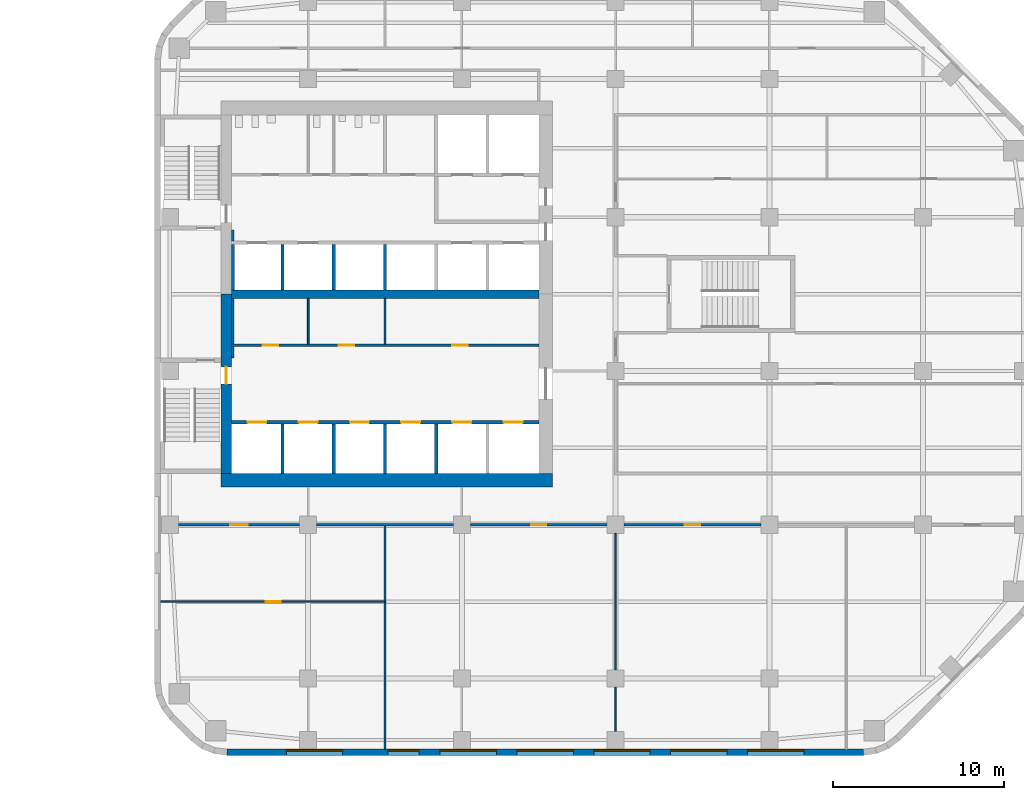
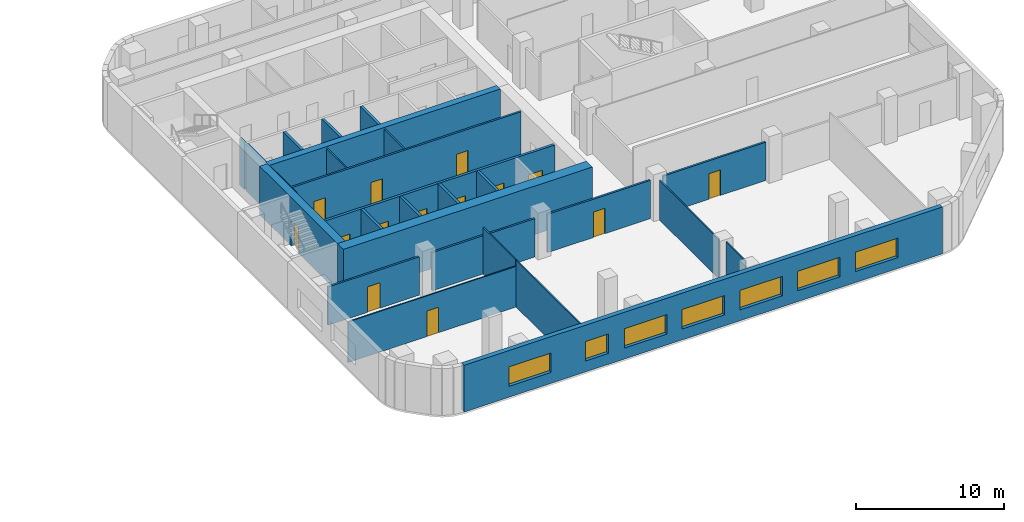
# One storey, part 8 of 14: 28 walls, 14 doors, 7 windows, 21 openings.
"""IFC4 building model written with IfcOpenShell, lengths in metres."""

from ifc_helpers import new_model, si_unit, direction, frame, frame_2d, origin, place, context, subcontext, project, spatial, rectangle, extrude, material, layer, layer_set, type_object, element, fill, save


model = new_model("IFC4")

# Units and contexts
model_context = context("Model", 3, precision=1e-05, world=origin(), true_north=direction((0.0, 1.0)))
body_context = subcontext(model_context, "Body", "Model", "MODEL_VIEW")
ifc_project = project(units=[si_unit("LENGTHUNIT", "METRE"), si_unit("AREAUNIT", "SQUARE_METRE"), si_unit("VOLUMEUNIT", "CUBIC_METRE"), si_unit("PLANEANGLEUNIT", "RADIAN"), si_unit("MASSUNIT", "GRAM", prefix="KILO")], contexts=[model_context])

# Site, building, storey
site_placement = place(None, origin())
site = spatial("IfcSite", under=ifc_project, at=site_placement, CompositionType="ELEMENT")
building_placement = place(site_placement, origin())
building = spatial("IfcBuilding", under=site, at=building_placement, Name="Cinnabar Reach Civic Tower", CompositionType="ELEMENT")
storey_placement = place(building_placement, frame((0.0, 0.0, 112.0)))
storey = spatial("IfcBuildingStorey", under=building, at=storey_placement, Name="L26", CompositionType="ELEMENT", Elevation=112.0)

# Wall, openings, windows
ifc_material_1 = material(Name="Facing brick with insulated backing", Category="masonry")
ifc_layer_1 = layer(ifc_material_1, 0.36)
ifc_layer_set_1 = layer_set([ifc_layer_1], Name="Brick pier and spandrel wall")
wall_type_1 = type_object("IfcWallType", Name="Brick pier and spandrel wall", PredefinedType="STANDARD", material=ifc_layer_set_1)
wall_1_placement = place(storey_placement, frame((4.2426, 4.68, 0.0), z_axis=(0.0, 0.0, 1.0), x_axis=(1.0, 0.0, 0.0)))
wall_1 = element("IfcWall", 1, at=wall_1_placement, inside=storey, type_object=wall_type_1, Name="Brick facade wall", PredefinedType="STANDARD", context=body_context, shape_type="SweptSolid", body=[
    extrude(rectangle(XDim=37.2648, YDim=0.36, at=frame_2d((18.6324, 0.0))), origin(), (0.0, 0.0, 1.0), 3.85),
])
opening_1_placement = place(wall_1_placement, frame((3.4824, 0.0, 0.9)))
opening_1 = element("IfcOpeningElement", 2, at=opening_1_placement, cuts=wall_1, Name="Opening W1545", PredefinedType="OPENING", context=body_context, shape_type="SweptSolid", body=[
    extrude(rectangle(XDim=3.3, YDim=1.6, at=frame_2d((1.65, 0.8))), frame((0.0, 0.19, 0.0), z_axis=(0.0, -1.0, 0.0), x_axis=(1.0, 0.0, 0.0)), (0.0, 0.0, 1.0), 0.38),
])
opening_2_placement = place(wall_1_placement, frame((9.4324, 0.0, 0.9)))
opening_2 = element("IfcOpeningElement", 3, at=opening_2_placement, cuts=wall_1, Name="Opening W1546", PredefinedType="OPENING", context=body_context, shape_type="SweptSolid", body=[
    extrude(rectangle(XDim=1.8, YDim=1.6, at=frame_2d((0.9, 0.8))), frame((0.0, 0.19, 0.0), z_axis=(0.0, -1.0, 0.0), x_axis=(1.0, 0.0, 0.0)), (0.0, 0.0, 1.0), 0.38),
])
opening_3_placement = place(wall_1_placement, frame((12.4824, 0.0, 0.9)))
opening_3 = element("IfcOpeningElement", 4, at=opening_3_placement, cuts=wall_1, Name="Opening W1547", PredefinedType="OPENING", context=body_context, shape_type="SweptSolid", body=[
    extrude(rectangle(XDim=3.3, YDim=1.6, at=frame_2d((1.65, 0.8))), frame((0.0, 0.19, 0.0), z_axis=(0.0, -1.0, 0.0), x_axis=(1.0, 0.0, 0.0)), (0.0, 0.0, 1.0), 0.38),
])
opening_4_placement = place(wall_1_placement, frame((16.9824, 0.0, 0.9)))
opening_4 = element("IfcOpeningElement", 5, at=opening_4_placement, cuts=wall_1, Name="Opening W1548", PredefinedType="OPENING", context=body_context, shape_type="SweptSolid", body=[
    extrude(rectangle(XDim=3.3, YDim=1.6, at=frame_2d((1.65, 0.8))), frame((0.0, 0.19, 0.0), z_axis=(0.0, -1.0, 0.0), x_axis=(1.0, 0.0, 0.0)), (0.0, 0.0, 1.0), 0.38),
])
opening_5_placement = place(wall_1_placement, frame((21.4824, 0.0, 0.9)))
opening_5 = element("IfcOpeningElement", 6, at=opening_5_placement, cuts=wall_1, Name="Opening W1549", PredefinedType="OPENING", context=body_context, shape_type="SweptSolid", body=[
    extrude(rectangle(XDim=3.3, YDim=1.6, at=frame_2d((1.65, 0.8))), frame((0.0, 0.19, 0.0), z_axis=(0.0, -1.0, 0.0), x_axis=(1.0, 0.0, 0.0)), (0.0, 0.0, 1.0), 0.38),
])
opening_6_placement = place(wall_1_placement, frame((25.9824, 0.0, 0.9)))
opening_6 = element("IfcOpeningElement", 7, at=opening_6_placement, cuts=wall_1, Name="Opening W1550", PredefinedType="OPENING", context=body_context, shape_type="SweptSolid", body=[
    extrude(rectangle(XDim=3.3, YDim=1.6, at=frame_2d((1.65, 0.8))), frame((0.0, 0.19, 0.0), z_axis=(0.0, -1.0, 0.0), x_axis=(1.0, 0.0, 0.0)), (0.0, 0.0, 1.0), 0.38),
])
opening_7_placement = place(wall_1_placement, frame((30.4824, 0.0, 0.9)))
opening_7 = element("IfcOpeningElement", 8, at=opening_7_placement, cuts=wall_1, Name="Opening W1551", PredefinedType="OPENING", context=body_context, shape_type="SweptSolid", body=[
    extrude(rectangle(XDim=3.3, YDim=1.6, at=frame_2d((1.65, 0.8))), frame((0.0, 0.19, 0.0), z_axis=(0.0, -1.0, 0.0), x_axis=(1.0, 0.0, 0.0)), (0.0, 0.0, 1.0), 0.38),
])
ifc_material_2 = material(Name="Clear double glazing in aluminium frame", Category="aluminium")
window_type_1 = type_object("IfcWindowType", Name="Deep-set window A", PartitioningType="SINGLE_PANEL", PredefinedType="WINDOW", material=ifc_material_2)
window_1_placement = place(opening_1_placement, origin())
window_1 = element("IfcWindow", 9, at=window_1_placement, inside=storey, type_object=window_type_1, Name="Window south face", OverallHeight=1.6, OverallWidth=3.3, PartitioningType="SINGLE_PANEL", PredefinedType="WINDOW", context=body_context, shape_type="SweptSolid", body=[
    extrude(rectangle(XDim=3.3, YDim=1.6, at=frame_2d((1.65, 0.8))), frame((0.0, 0.13, 0.0), z_axis=(0.0, -1.0, 0.0), x_axis=(1.0, 0.0, 0.0)), (0.0, 0.0, 1.0), 0.06),
])
fill(opening_1, window_1)
window_2_placement = place(opening_3_placement, origin())
window_2 = element("IfcWindow", 10, at=window_2_placement, inside=storey, type_object=window_type_1, Name="Window south face", OverallHeight=1.6, OverallWidth=3.3, PartitioningType="SINGLE_PANEL", PredefinedType="WINDOW", context=body_context, shape_type="SweptSolid", body=[
    extrude(rectangle(XDim=3.3, YDim=1.6, at=frame_2d((1.65, 0.8))), frame((0.0, 0.13, 0.0), z_axis=(0.0, -1.0, 0.0), x_axis=(1.0, 0.0, 0.0)), (0.0, 0.0, 1.0), 0.06),
])
fill(opening_3, window_2)
window_3_placement = place(opening_4_placement, origin())
window_3 = element("IfcWindow", 11, at=window_3_placement, inside=storey, type_object=window_type_1, Name="Window south face", OverallHeight=1.6, OverallWidth=3.3, PartitioningType="SINGLE_PANEL", PredefinedType="WINDOW", context=body_context, shape_type="SweptSolid", body=[
    extrude(rectangle(XDim=3.3, YDim=1.6, at=frame_2d((1.65, 0.8))), frame((0.0, 0.13, 0.0), z_axis=(0.0, -1.0, 0.0), x_axis=(1.0, 0.0, 0.0)), (0.0, 0.0, 1.0), 0.06),
])
fill(opening_4, window_3)
window_4_placement = place(opening_5_placement, origin())
window_4 = element("IfcWindow", 12, at=window_4_placement, inside=storey, type_object=window_type_1, Name="Window south face", OverallHeight=1.6, OverallWidth=3.3, PartitioningType="SINGLE_PANEL", PredefinedType="WINDOW", context=body_context, shape_type="SweptSolid", body=[
    extrude(rectangle(XDim=3.3, YDim=1.6, at=frame_2d((1.65, 0.8))), frame((0.0, 0.13, 0.0), z_axis=(0.0, -1.0, 0.0), x_axis=(1.0, 0.0, 0.0)), (0.0, 0.0, 1.0), 0.06),
])
fill(opening_5, window_4)
window_5_placement = place(opening_6_placement, origin())
window_5 = element("IfcWindow", 13, at=window_5_placement, inside=storey, type_object=window_type_1, Name="Window south face", OverallHeight=1.6, OverallWidth=3.3, PartitioningType="SINGLE_PANEL", PredefinedType="WINDOW", context=body_context, shape_type="SweptSolid", body=[
    extrude(rectangle(XDim=3.3, YDim=1.6, at=frame_2d((1.65, 0.8))), frame((0.0, 0.13, 0.0), z_axis=(0.0, -1.0, 0.0), x_axis=(1.0, 0.0, 0.0)), (0.0, 0.0, 1.0), 0.06),
])
fill(opening_6, window_5)
window_6_placement = place(opening_7_placement, origin())
window_6 = element("IfcWindow", 14, at=window_6_placement, inside=storey, type_object=window_type_1, Name="Window south face", OverallHeight=1.6, OverallWidth=3.3, PartitioningType="SINGLE_PANEL", PredefinedType="WINDOW", context=body_context, shape_type="SweptSolid", body=[
    extrude(rectangle(XDim=3.3, YDim=1.6, at=frame_2d((1.65, 0.8))), frame((0.0, 0.13, 0.0), z_axis=(0.0, -1.0, 0.0), x_axis=(1.0, 0.0, 0.0)), (0.0, 0.0, 1.0), 0.06),
])
fill(opening_7, window_6)
window_type_2 = type_object("IfcWindowType", Name="Deep-set window D", PartitioningType="SINGLE_PANEL", PredefinedType="WINDOW", material=ifc_material_2)
window_7_placement = place(opening_2_placement, origin())
window_7 = element("IfcWindow", 15, at=window_7_placement, inside=storey, type_object=window_type_2, Name="Window south face", OverallHeight=1.6, OverallWidth=1.8, PartitioningType="SINGLE_PANEL", PredefinedType="WINDOW", context=body_context, shape_type="SweptSolid", body=[
    extrude(rectangle(XDim=1.8, YDim=1.6, at=frame_2d((0.9, 0.8))), frame((0.0, 0.13, 0.0), z_axis=(0.0, -1.0, 0.0), x_axis=(1.0, 0.0, 0.0)), (0.0, 0.0, 1.0), 0.06),
])
fill(opening_2, window_7)

# Wall
ifc_material_3 = material(Name="Concrete C60", Category="concrete")
ifc_layer_2 = layer(ifc_material_3, 0.5)
ifc_layer_set_2 = layer_set([ifc_layer_2], Name="Core wall 500 EI 180")
wall_type_2 = type_object("IfcWallType", Name="Core wall 500 EI 180", PredefinedType="SOLIDWALL", material=ifc_layer_set_2)
wall_2_placement = place(storey_placement, frame((4.5, 31.5, 0.0), z_axis=(0.0, 0.0, 1.0), x_axis=(1.0, 0.0, 0.0)))
element("IfcWall", 16, at=wall_2_placement, inside=storey, type_object=wall_type_2, Name="Core spine wall T1 L26", PredefinedType="SOLIDWALL", context=body_context, shape_type="SweptSolid", body=[
    extrude(rectangle(XDim=18.0, YDim=0.5, at=frame_2d((9.0, 0.0))), origin(), (0.0, 0.0, 1.0), 4.0),
])

# Wall, opening, door
ifc_material_4 = material(Name="Concrete C70", Category="concrete")
ifc_layer_3 = layer(ifc_material_4, 0.6)
ifc_layer_set_3 = layer_set([ifc_layer_3], Name="Core wall 600 EI 180")
wall_type_3 = type_object("IfcWallType", Name="Core wall 600 EI 180", PredefinedType="SOLIDWALL", material=ifc_layer_set_3)
wall_3_placement = place(storey_placement, frame((4.2, 31.5, 0.0), z_axis=(0.0, 0.0, 1.0), x_axis=(0.0, -1.0, 0.0)))
wall_3 = element("IfcWall", 17, at=wall_3_placement, inside=storey, type_object=wall_type_3, Name="Core wall T1 L26 W2", PredefinedType="SOLIDWALL", context=body_context, shape_type="SweptSolid", body=[
    extrude(rectangle(XDim=10.5, YDim=0.6, at=frame_2d((5.25, 0.0))), origin(), (0.0, 0.0, 1.0), 4.0),
])
opening_8_placement = place(wall_3_placement, frame((4.25, 0.0, 0.0)))
opening_8 = element("IfcOpeningElement", 18, at=opening_8_placement, cuts=wall_3, Name="Opening D4045", PredefinedType="OPENING", context=body_context, shape_type="SweptSolid", body=[
    extrude(rectangle(XDim=1.0, YDim=2.1, at=frame_2d((0.5, 1.05))), frame((0.0, 0.31, 0.0), z_axis=(0.0, -1.0, 0.0), x_axis=(1.0, 0.0, 0.0)), (0.0, 0.0, 1.0), 0.62),
])
ifc_material_5 = material(Name="Timber door leaf in steel frame", Category="steel")
door_type_1 = type_object("IfcDoorType", Name="Stair door 1000 x 2100 T1", OperationType="SINGLE_SWING_LEFT", PredefinedType="DOOR", material=ifc_material_5)
door_1_placement = place(opening_8_placement, frame((1.0, 0.0, 0.0), z_axis=(0.0, 0.0, 1.0), x_axis=(-1.0, 0.0, 0.0)))
door_1 = element("IfcDoor", 19, at=door_1_placement, inside=storey, type_object=door_type_1, Name="Door D4045", OperationType="SINGLE_SWING_RIGHT", OverallHeight=2.1, OverallWidth=1.0, PredefinedType="DOOR", context=body_context, shape_type="SweptSolid", body=[
    extrude(rectangle(XDim=1.0, YDim=2.1, at=frame_2d((0.5, 1.05))), frame((0.0, 0.025, 0.0), z_axis=(0.0, -1.0, 0.0), x_axis=(1.0, 0.0, 0.0)), (0.0, 0.0, 1.0), 0.05),
])
fill(opening_8, door_1)

# Wall
ifc_layer_4 = layer(ifc_material_4, 0.8)
ifc_layer_set_4 = layer_set([ifc_layer_4], Name="Core wall 800 EI 180")
wall_type_4 = type_object("IfcWallType", Name="Core wall 800 EI 180", PredefinedType="SOLIDWALL", material=ifc_layer_set_4)
wall_4_placement = place(storey_placement, frame((3.9, 20.6, 0.0), z_axis=(0.0, 0.0, 1.0), x_axis=(1.0, 0.0, 0.0)))
element("IfcWall", 20, at=wall_4_placement, inside=storey, type_object=wall_type_4, Name="Core wall T1 L26 S", PredefinedType="SOLIDWALL", context=body_context, shape_type="SweptSolid", body=[
    extrude(rectangle(XDim=19.4, YDim=0.8, at=frame_2d((9.7, 0.0))), origin(), (0.0, 0.0, 1.0), 4.0),
])

# Wall, opening, door
ifc_material_6 = material(Name="Gypsum board on steel studs, double layer", Category="steel")
ifc_layer_5 = layer(ifc_material_6, 0.15)
ifc_layer_set_5 = layer_set([ifc_layer_5], Name="Corridor wall 150 T1")
wall_type_5 = type_object("IfcWallType", Name="Corridor wall 150 T1", PredefinedType="PARTITIONING", material=ifc_layer_set_5)
wall_5_placement = place(storey_placement, frame((27.5, 18.0, 0.0), z_axis=(0.0, 0.0, 1.0), x_axis=(1.0, 0.0, 0.0)))
wall_5 = element("IfcWall", 21, at=wall_5_placement, inside=storey, type_object=wall_type_5, Name="Corridor wall 21", PredefinedType="PARTITIONING", context=body_context, shape_type="SweptSolid", body=[
    extrude(rectangle(XDim=8.0, YDim=0.15, at=frame_2d((4.0, 0.0))), origin(), (0.0, 0.0, 1.0), 3.158),
])
opening_9_placement = place(wall_5_placement, frame((3.55, 0.0, 0.0)))
opening_9 = element("IfcOpeningElement", 22, at=opening_9_placement, cuts=wall_5, Name="Opening D4080", PredefinedType="OPENING", context=body_context, shape_type="SweptSolid", body=[
    extrude(rectangle(XDim=0.9, YDim=2.1, at=frame_2d((0.45, 1.05))), frame((0.0, 0.085, 0.0), z_axis=(0.0, -1.0, 0.0), x_axis=(1.0, 0.0, 0.0)), (0.0, 0.0, 1.0), 0.17),
])
door_type_2 = type_object("IfcDoorType", Name="Single swing door 900 x 2100 corridor T1", OperationType="SINGLE_SWING_LEFT", PredefinedType="DOOR", material=ifc_material_5)
door_2_placement = place(opening_9_placement, frame((0.9, 0.0, 0.0), z_axis=(0.0, 0.0, 1.0), x_axis=(-1.0, 0.0, 0.0)))
door_2 = element("IfcDoor", 23, at=door_2_placement, inside=storey, type_object=door_type_2, Name="Door D4080", OperationType="SINGLE_SWING_RIGHT", OverallHeight=2.1, OverallWidth=0.9, PredefinedType="DOOR", context=body_context, shape_type="SweptSolid", body=[
    extrude(rectangle(XDim=0.9, YDim=2.1, at=frame_2d((0.45, 1.05))), frame((0.0, 0.025, 0.0), z_axis=(0.0, -1.0, 0.0), x_axis=(1.0, 0.0, 0.0)), (0.0, 0.0, 1.0), 0.05),
])
fill(opening_9, door_2)

wall_6_placement = place(storey_placement, frame((18.5, 18.0, 0.0), z_axis=(0.0, 0.0, 1.0), x_axis=(1.0, 0.0, 0.0)))
wall_6 = element("IfcWall", 24, at=wall_6_placement, inside=storey, type_object=wall_type_5, Name="Corridor wall 22", PredefinedType="PARTITIONING", context=body_context, shape_type="SweptSolid", body=[
    extrude(rectangle(XDim=8.0, YDim=0.15, at=frame_2d((4.0, 0.0))), origin(), (0.0, 0.0, 1.0), 3.158),
])
opening_10_placement = place(wall_6_placement, frame((3.55, 0.0, 0.0)))
opening_10 = element("IfcOpeningElement", 25, at=opening_10_placement, cuts=wall_6, Name="Opening D4079", PredefinedType="OPENING", context=body_context, shape_type="SweptSolid", body=[
    extrude(rectangle(XDim=0.9, YDim=2.1, at=frame_2d((0.45, 1.05))), frame((0.0, 0.085, 0.0), z_axis=(0.0, -1.0, 0.0), x_axis=(1.0, 0.0, 0.0)), (0.0, 0.0, 1.0), 0.17),
])
door_3_placement = place(opening_10_placement, frame((0.9, 0.0, 0.0), z_axis=(0.0, 0.0, 1.0), x_axis=(-1.0, 0.0, 0.0)))
door_3 = element("IfcDoor", 26, at=door_3_placement, inside=storey, type_object=door_type_2, Name="Door D4079", OperationType="SINGLE_SWING_LEFT", OverallHeight=2.1, OverallWidth=0.9, PredefinedType="DOOR", context=body_context, shape_type="SweptSolid", body=[
    extrude(rectangle(XDim=0.9, YDim=2.1, at=frame_2d((0.45, 1.05))), frame((0.0, 0.025, 0.0), z_axis=(0.0, -1.0, 0.0), x_axis=(1.0, 0.0, 0.0)), (0.0, 0.0, 1.0), 0.05),
])
fill(opening_10, door_3)

# Wall
wall_7_placement = place(storey_placement, frame((9.5, 18.0, 0.0), z_axis=(0.0, 0.0, 1.0), x_axis=(1.0, 0.0, 0.0)))
element("IfcWall", 27, at=wall_7_placement, inside=storey, type_object=wall_type_5, Name="Corridor wall 23", PredefinedType="PARTITIONING", context=body_context, shape_type="SweptSolid", body=[
    extrude(rectangle(XDim=8.0, YDim=0.15, at=frame_2d((4.0, 0.0))), origin(), (0.0, 0.0, 1.0), 3.158),
])

# Wall, opening, door
wall_8_placement = place(storey_placement, frame((1.4, 18.0, 0.0), z_axis=(0.0, 0.0, 1.0), x_axis=(1.0, 0.0, 0.0)))
wall_8 = element("IfcWall", 28, at=wall_8_placement, inside=storey, type_object=wall_type_5, Name="Corridor wall 24", PredefinedType="PARTITIONING", context=body_context, shape_type="SweptSolid", body=[
    extrude(rectangle(XDim=7.1, YDim=0.15, at=frame_2d((3.55, 0.0))), origin(), (0.0, 0.0, 1.0), 3.158),
])
opening_11_placement = place(wall_8_placement, frame((3.05, 0.0, 0.0)))
opening_11 = element("IfcOpeningElement", 29, at=opening_11_placement, cuts=wall_8, Name="Opening D4077", PredefinedType="OPENING", context=body_context, shape_type="SweptSolid", body=[
    extrude(rectangle(XDim=1.0, YDim=2.1, at=frame_2d((0.5, 1.05))), frame((0.0, 0.085, 0.0), z_axis=(0.0, -1.0, 0.0), x_axis=(1.0, 0.0, 0.0)), (0.0, 0.0, 1.0), 0.17),
])
door_type_3 = type_object("IfcDoorType", Name="Tenancy entrance door 1000 x 2100 T1", OperationType="SINGLE_SWING_LEFT", PredefinedType="DOOR", material=ifc_material_5)
door_4_placement = place(opening_11_placement, frame((1.0, 0.0, 0.0), z_axis=(0.0, 0.0, 1.0), x_axis=(-1.0, 0.0, 0.0)))
door_4 = element("IfcDoor", 30, at=door_4_placement, inside=storey, type_object=door_type_3, Name="Door D4077", OperationType="SINGLE_SWING_LEFT", OverallHeight=2.1, OverallWidth=1.0, PredefinedType="DOOR", context=body_context, shape_type="SweptSolid", body=[
    extrude(rectangle(XDim=1.0, YDim=2.1, at=frame_2d((0.5, 1.05))), frame((0.0, 0.025, 0.0), z_axis=(0.0, -1.0, 0.0), x_axis=(1.0, 0.0, 0.0)), (0.0, 0.0, 1.0), 0.05),
])
fill(opening_11, door_4)

# Wall, openings, doors
wall_9_placement = place(storey_placement, frame((4.5, 28.5, 0.0), z_axis=(0.0, 0.0, 1.0), x_axis=(1.0, 0.0, 0.0)))
wall_9 = element("IfcWall", 31, at=wall_9_placement, inside=storey, type_object=wall_type_5, Name="Corridor wall 29", PredefinedType="PARTITIONING", context=body_context, shape_type="SweptSolid", body=[
    extrude(rectangle(XDim=18.0, YDim=0.15, at=frame_2d((9.0, 0.0))), origin(), (0.0, 0.0, 1.0), 3.85),
])
opening_12_placement = place(wall_9_placement, frame((1.85, 0.0, 0.0)))
opening_12 = element("IfcOpeningElement", 32, at=opening_12_placement, cuts=wall_9, Name="Opening D4065", PredefinedType="OPENING", context=body_context, shape_type="SweptSolid", body=[
    extrude(rectangle(XDim=0.9, YDim=2.1, at=frame_2d((0.45, 1.05))), frame((0.0, 0.085, 0.0), z_axis=(0.0, -1.0, 0.0), x_axis=(1.0, 0.0, 0.0)), (0.0, 0.0, 1.0), 0.17),
])
opening_13_placement = place(wall_9_placement, frame((6.3, 0.0, 0.0)))
opening_13 = element("IfcOpeningElement", 33, at=opening_13_placement, cuts=wall_9, Name="Opening D4066", PredefinedType="OPENING", context=body_context, shape_type="SweptSolid", body=[
    extrude(rectangle(XDim=0.9, YDim=2.1, at=frame_2d((0.45, 1.05))), frame((0.0, 0.085, 0.0), z_axis=(0.0, -1.0, 0.0), x_axis=(1.0, 0.0, 0.0)), (0.0, 0.0, 1.0), 0.17),
])
opening_14_placement = place(wall_9_placement, frame((12.95, 0.0, 0.0)))
opening_14 = element("IfcOpeningElement", 34, at=opening_14_placement, cuts=wall_9, Name="Opening D4067", PredefinedType="OPENING", context=body_context, shape_type="SweptSolid", body=[
    extrude(rectangle(XDim=0.9, YDim=2.1, at=frame_2d((0.45, 1.05))), frame((0.0, 0.085, 0.0), z_axis=(0.0, -1.0, 0.0), x_axis=(1.0, 0.0, 0.0)), (0.0, 0.0, 1.0), 0.17),
])
door_5_placement = place(opening_12_placement, origin())
door_5 = element("IfcDoor", 35, at=door_5_placement, inside=storey, type_object=door_type_2, Name="Door D4065", OperationType="SINGLE_SWING_LEFT", OverallHeight=2.1, OverallWidth=0.9, PredefinedType="DOOR", context=body_context, shape_type="SweptSolid", body=[
    extrude(rectangle(XDim=0.9, YDim=2.1, at=frame_2d((0.45, 1.05))), frame((0.0, 0.025, 0.0), z_axis=(0.0, -1.0, 0.0), x_axis=(1.0, 0.0, 0.0)), (0.0, 0.0, 1.0), 0.05),
])
fill(opening_12, door_5)
door_6_placement = place(opening_13_placement, origin())
door_6 = element("IfcDoor", 36, at=door_6_placement, inside=storey, type_object=door_type_2, Name="Door D4066", OperationType="SINGLE_SWING_RIGHT", OverallHeight=2.1, OverallWidth=0.9, PredefinedType="DOOR", context=body_context, shape_type="SweptSolid", body=[
    extrude(rectangle(XDim=0.9, YDim=2.1, at=frame_2d((0.45, 1.05))), frame((0.0, 0.025, 0.0), z_axis=(0.0, -1.0, 0.0), x_axis=(1.0, 0.0, 0.0)), (0.0, 0.0, 1.0), 0.05),
])
fill(opening_13, door_6)
door_7_placement = place(opening_14_placement, origin())
door_7 = element("IfcDoor", 37, at=door_7_placement, inside=storey, type_object=door_type_2, Name="Door D4067", OperationType="SINGLE_SWING_LEFT", OverallHeight=2.1, OverallWidth=0.9, PredefinedType="DOOR", context=body_context, shape_type="SweptSolid", body=[
    extrude(rectangle(XDim=0.9, YDim=2.1, at=frame_2d((0.45, 1.05))), frame((0.0, 0.025, 0.0), z_axis=(0.0, -1.0, 0.0), x_axis=(1.0, 0.0, 0.0)), (0.0, 0.0, 1.0), 0.05),
])
fill(opening_14, door_7)

# Walls
wall_10_placement = place(storey_placement, frame((4.575, 27.75, 0.0), z_axis=(0.0, 0.0, 1.0), x_axis=(0.0, 1.0, 0.0)))
element("IfcWall", 38, at=wall_10_placement, inside=storey, type_object=wall_type_5, Name="Corridor wall 35", PredefinedType="PARTITIONING", context=body_context, shape_type="SweptSolid", body=[
    extrude(rectangle(XDim=0.675, YDim=0.15, at=frame_2d((0.3375, 0.0))), origin(), (0.0, 0.0, 1.0), 3.85),
])
wall_11_placement = place(storey_placement, frame((4.575, 28.575, 0.0), z_axis=(0.0, 0.0, 1.0), x_axis=(0.0, 1.0, 0.0)))
element("IfcWall", 39, at=wall_11_placement, inside=storey, type_object=wall_type_5, Name="Corridor wall 36", PredefinedType="PARTITIONING", context=body_context, shape_type="SweptSolid", body=[
    extrude(rectangle(XDim=2.675, YDim=0.15, at=frame_2d((1.3375, 0.0))), origin(), (0.0, 0.0, 1.0), 3.85),
])
wall_12_placement = place(storey_placement, frame((4.575, 34.6, 0.0), z_axis=(0.0, 0.0, 1.0), x_axis=(0.0, 1.0, 0.0)))
element("IfcWall", 40, at=wall_12_placement, inside=storey, type_object=wall_type_5, Name="Corridor wall 40", PredefinedType="PARTITIONING", context=body_context, shape_type="SweptSolid", body=[
    extrude(rectangle(XDim=0.65, YDim=0.15, at=frame_2d((0.325, 0.0))), origin(), (0.0, 0.0, 1.0), 3.85),
])

# Wall, openings, doors
ifc_material_7 = material(Name="Blockwork", Category="masonry")
ifc_layer_6 = layer(ifc_material_7, 0.2)
ifc_layer_set_6 = layer_set([ifc_layer_6], Name="Lift shaft wall 200 T1")
wall_type_6 = type_object("IfcWallType", Name="Lift shaft wall 200 T1", PredefinedType="PARTITIONING", material=ifc_layer_set_6)
wall_13_placement = place(storey_placement, frame((4.5, 24.0, 0.0), z_axis=(0.0, 0.0, 1.0), x_axis=(1.0, 0.0, 0.0)))
wall_13 = element("IfcWall", 41, at=wall_13_placement, inside=storey, type_object=wall_type_6, Name="Lift shaft wall 4", PredefinedType="PARTITIONING", context=body_context, shape_type="SweptSolid", body=[
    extrude(rectangle(XDim=18.0, YDim=0.2, at=frame_2d((9.0, 0.0))), origin(), (0.0, 0.0, 1.0), 3.85),
])
opening_15_placement = place(wall_13_placement, frame((0.95, 0.0, 0.0)))
opening_15 = element("IfcOpeningElement", 42, at=opening_15_placement, cuts=wall_13, Name="Opening D4049", PredefinedType="OPENING", context=body_context, shape_type="SweptSolid", body=[
    extrude(rectangle(XDim=1.1, YDim=2.1, at=frame_2d((0.55, 1.05))), frame((0.0, 0.11, 0.0), z_axis=(0.0, -1.0, 0.0), x_axis=(1.0, 0.0, 0.0)), (0.0, 0.0, 1.0), 0.22),
])
opening_16_placement = place(wall_13_placement, frame((3.95, 0.0, 0.0)))
opening_16 = element("IfcOpeningElement", 43, at=opening_16_placement, cuts=wall_13, Name="Opening D4050", PredefinedType="OPENING", context=body_context, shape_type="SweptSolid", body=[
    extrude(rectangle(XDim=1.1, YDim=2.1, at=frame_2d((0.55, 1.05))), frame((0.0, 0.11, 0.0), z_axis=(0.0, -1.0, 0.0), x_axis=(1.0, 0.0, 0.0)), (0.0, 0.0, 1.0), 0.22),
])
opening_17_placement = place(wall_13_placement, frame((6.95, 0.0, 0.0)))
opening_17 = element("IfcOpeningElement", 44, at=opening_17_placement, cuts=wall_13, Name="Opening D4051", PredefinedType="OPENING", context=body_context, shape_type="SweptSolid", body=[
    extrude(rectangle(XDim=1.1, YDim=2.1, at=frame_2d((0.55, 1.05))), frame((0.0, 0.11, 0.0), z_axis=(0.0, -1.0, 0.0), x_axis=(1.0, 0.0, 0.0)), (0.0, 0.0, 1.0), 0.22),
])
opening_18_placement = place(wall_13_placement, frame((9.95, 0.0, 0.0)))
opening_18 = element("IfcOpeningElement", 45, at=opening_18_placement, cuts=wall_13, Name="Opening D4052", PredefinedType="OPENING", context=body_context, shape_type="SweptSolid", body=[
    extrude(rectangle(XDim=1.1, YDim=2.1, at=frame_2d((0.55, 1.05))), frame((0.0, 0.11, 0.0), z_axis=(0.0, -1.0, 0.0), x_axis=(1.0, 0.0, 0.0)), (0.0, 0.0, 1.0), 0.22),
])
opening_19_placement = place(wall_13_placement, frame((12.95, 0.0, 0.0)))
opening_19 = element("IfcOpeningElement", 46, at=opening_19_placement, cuts=wall_13, Name="Opening D4053", PredefinedType="OPENING", context=body_context, shape_type="SweptSolid", body=[
    extrude(rectangle(XDim=1.1, YDim=2.1, at=frame_2d((0.55, 1.05))), frame((0.0, 0.11, 0.0), z_axis=(0.0, -1.0, 0.0), x_axis=(1.0, 0.0, 0.0)), (0.0, 0.0, 1.0), 0.22),
])
opening_20_placement = place(wall_13_placement, frame((15.95, 0.0, 0.0)))
opening_20 = element("IfcOpeningElement", 47, at=opening_20_placement, cuts=wall_13, Name="Opening D4054", PredefinedType="OPENING", context=body_context, shape_type="SweptSolid", body=[
    extrude(rectangle(XDim=1.1, YDim=2.1, at=frame_2d((0.55, 1.05))), frame((0.0, 0.11, 0.0), z_axis=(0.0, -1.0, 0.0), x_axis=(1.0, 0.0, 0.0)), (0.0, 0.0, 1.0), 0.22),
])
ifc_material_8 = material(Name="Stainless steel sliding door", Category="steel")
door_type_4 = type_object("IfcDoorType", Name="Lift landing door 1100 x 2100 T1", OperationType="SLIDING_TO_LEFT", PredefinedType="DOOR", material=ifc_material_8)
door_8_placement = place(opening_15_placement, origin())
door_8 = element("IfcDoor", 48, at=door_8_placement, inside=storey, type_object=door_type_4, Name="Lift landing door LR1 L26", OperationType="SLIDING_TO_LEFT", OverallHeight=2.1, OverallWidth=1.1, PredefinedType="DOOR", context=body_context, shape_type="SweptSolid", body=[
    extrude(rectangle(XDim=1.1, YDim=2.1, at=frame_2d((0.55, 1.05))), frame((0.0, 0.025, 0.0), z_axis=(0.0, -1.0, 0.0), x_axis=(1.0, 0.0, 0.0)), (0.0, 0.0, 1.0), 0.05),
])
fill(opening_15, door_8)
door_9_placement = place(opening_16_placement, origin())
door_9 = element("IfcDoor", 49, at=door_9_placement, inside=storey, type_object=door_type_4, Name="Lift landing door LR2 L26", OperationType="SLIDING_TO_LEFT", OverallHeight=2.1, OverallWidth=1.1, PredefinedType="DOOR", context=body_context, shape_type="SweptSolid", body=[
    extrude(rectangle(XDim=1.1, YDim=2.1, at=frame_2d((0.55, 1.05))), frame((0.0, 0.025, 0.0), z_axis=(0.0, -1.0, 0.0), x_axis=(1.0, 0.0, 0.0)), (0.0, 0.0, 1.0), 0.05),
])
fill(opening_16, door_9)
door_10_placement = place(opening_17_placement, origin())
door_10 = element("IfcDoor", 50, at=door_10_placement, inside=storey, type_object=door_type_4, Name="Lift landing door LR3 L26", OperationType="SLIDING_TO_LEFT", OverallHeight=2.1, OverallWidth=1.1, PredefinedType="DOOR", context=body_context, shape_type="SweptSolid", body=[
    extrude(rectangle(XDim=1.1, YDim=2.1, at=frame_2d((0.55, 1.05))), frame((0.0, 0.025, 0.0), z_axis=(0.0, -1.0, 0.0), x_axis=(1.0, 0.0, 0.0)), (0.0, 0.0, 1.0), 0.05),
])
fill(opening_17, door_10)
door_11_placement = place(opening_18_placement, origin())
door_11 = element("IfcDoor", 51, at=door_11_placement, inside=storey, type_object=door_type_4, Name="Lift landing door LR4 L26", OperationType="SLIDING_TO_LEFT", OverallHeight=2.1, OverallWidth=1.1, PredefinedType="DOOR", context=body_context, shape_type="SweptSolid", body=[
    extrude(rectangle(XDim=1.1, YDim=2.1, at=frame_2d((0.55, 1.05))), frame((0.0, 0.025, 0.0), z_axis=(0.0, -1.0, 0.0), x_axis=(1.0, 0.0, 0.0)), (0.0, 0.0, 1.0), 0.05),
])
fill(opening_18, door_11)
door_12_placement = place(opening_19_placement, origin())
door_12 = element("IfcDoor", 52, at=door_12_placement, inside=storey, type_object=door_type_4, Name="Lift landing door LR5 L26", OperationType="SLIDING_TO_LEFT", OverallHeight=2.1, OverallWidth=1.1, PredefinedType="DOOR", context=body_context, shape_type="SweptSolid", body=[
    extrude(rectangle(XDim=1.1, YDim=2.1, at=frame_2d((0.55, 1.05))), frame((0.0, 0.025, 0.0), z_axis=(0.0, -1.0, 0.0), x_axis=(1.0, 0.0, 0.0)), (0.0, 0.0, 1.0), 0.05),
])
fill(opening_19, door_12)
door_13_placement = place(opening_20_placement, origin())
door_13 = element("IfcDoor", 53, at=door_13_placement, inside=storey, type_object=door_type_4, Name="Lift landing door LR6 L26", OperationType="SLIDING_TO_LEFT", OverallHeight=2.1, OverallWidth=1.1, PredefinedType="DOOR", context=body_context, shape_type="SweptSolid", body=[
    extrude(rectangle(XDim=1.1, YDim=2.1, at=frame_2d((0.55, 1.05))), frame((0.0, 0.025, 0.0), z_axis=(0.0, -1.0, 0.0), x_axis=(1.0, 0.0, 0.0)), (0.0, 0.0, 1.0), 0.05),
])
fill(opening_20, door_13)

# Walls
wall_14_placement = place(storey_placement, frame((4.6, 31.75, 0.0), z_axis=(0.0, 0.0, 1.0), x_axis=(0.0, 1.0, 0.0)))
element("IfcWall", 54, at=wall_14_placement, inside=storey, type_object=wall_type_6, Name="Lift shaft wall 8", PredefinedType="PARTITIONING", context=body_context, shape_type="SweptSolid", body=[
    extrude(rectangle(XDim=2.65, YDim=0.2, at=frame_2d((1.325, 0.0))), origin(), (0.0, 0.0, 1.0), 3.85),
])
wall_15_placement = place(storey_placement, frame((7.5, 21.0, 0.0), z_axis=(0.0, 0.0, 1.0), x_axis=(0.0, 1.0, 0.0)))
element("IfcWall", 55, at=wall_15_placement, inside=storey, type_object=wall_type_6, Name="Lift shaft wall 9", PredefinedType="PARTITIONING", context=body_context, shape_type="SweptSolid", body=[
    extrude(rectangle(XDim=2.9, YDim=0.2, at=frame_2d((1.45, 0.0))), origin(), (0.0, 0.0, 1.0), 3.85),
])
wall_16_placement = place(storey_placement, frame((7.5, 31.75, 0.0), z_axis=(0.0, 0.0, 1.0), x_axis=(0.0, 1.0, 0.0)))
element("IfcWall", 56, at=wall_16_placement, inside=storey, type_object=wall_type_6, Name="Lift shaft wall 10", PredefinedType="PARTITIONING", context=body_context, shape_type="SweptSolid", body=[
    extrude(rectangle(XDim=2.65, YDim=0.2, at=frame_2d((1.325, 0.0))), origin(), (0.0, 0.0, 1.0), 3.85),
])
wall_17_placement = place(storey_placement, frame((10.5, 21.0, 0.0), z_axis=(0.0, 0.0, 1.0), x_axis=(0.0, 1.0, 0.0)))
element("IfcWall", 57, at=wall_17_placement, inside=storey, type_object=wall_type_6, Name="Lift shaft wall 11", PredefinedType="PARTITIONING", context=body_context, shape_type="SweptSolid", body=[
    extrude(rectangle(XDim=2.9, YDim=0.2, at=frame_2d((1.45, 0.0))), origin(), (0.0, 0.0, 1.0), 3.85),
])
wall_18_placement = place(storey_placement, frame((10.5, 31.75, 0.0), z_axis=(0.0, 0.0, 1.0), x_axis=(0.0, 1.0, 0.0)))
element("IfcWall", 58, at=wall_18_placement, inside=storey, type_object=wall_type_6, Name="Lift shaft wall 12", PredefinedType="PARTITIONING", context=body_context, shape_type="SweptSolid", body=[
    extrude(rectangle(XDim=2.65, YDim=0.2, at=frame_2d((1.325, 0.0))), origin(), (0.0, 0.0, 1.0), 3.85),
])
wall_19_placement = place(storey_placement, frame((13.5, 21.0, 0.0), z_axis=(0.0, 0.0, 1.0), x_axis=(0.0, 1.0, 0.0)))
element("IfcWall", 59, at=wall_19_placement, inside=storey, type_object=wall_type_6, Name="Lift shaft wall 13", PredefinedType="PARTITIONING", context=body_context, shape_type="SweptSolid", body=[
    extrude(rectangle(XDim=2.9, YDim=0.2, at=frame_2d((1.45, 0.0))), origin(), (0.0, 0.0, 1.0), 3.85),
])
wall_20_placement = place(storey_placement, frame((13.5, 31.75, 0.0), z_axis=(0.0, 0.0, 1.0), x_axis=(0.0, 1.0, 0.0)))
element("IfcWall", 60, at=wall_20_placement, inside=storey, type_object=wall_type_6, Name="Lift shaft wall 14", PredefinedType="PARTITIONING", context=body_context, shape_type="SweptSolid", body=[
    extrude(rectangle(XDim=2.65, YDim=0.2, at=frame_2d((1.325, 0.0))), origin(), (0.0, 0.0, 1.0), 3.85),
])
wall_21_placement = place(storey_placement, frame((16.5, 21.0, 0.0), z_axis=(0.0, 0.0, 1.0), x_axis=(0.0, 1.0, 0.0)))
element("IfcWall", 61, at=wall_21_placement, inside=storey, type_object=wall_type_6, Name="Lift shaft wall 15", PredefinedType="PARTITIONING", context=body_context, shape_type="SweptSolid", body=[
    extrude(rectangle(XDim=2.9, YDim=0.2, at=frame_2d((1.45, 0.0))), origin(), (0.0, 0.0, 1.0), 3.85),
])

# Wall, opening, door
ifc_material_9 = material(Name="Gypsum board on steel studs", Category="steel")
ifc_layer_7 = layer(ifc_material_9, 0.1)
ifc_layer_set_7 = layer_set([ifc_layer_7], Name="Partition wall 100 T1")
wall_type_7 = type_object("IfcWallType", Name="Partition wall 100 T1", PredefinedType="PARTITIONING", material=ifc_layer_set_7)
wall_22_placement = place(storey_placement, frame((0.36, 13.5, 0.0), z_axis=(0.0, 0.0, 1.0), x_axis=(1.0, 0.0, 0.0)))
wall_22 = element("IfcWall", 62, at=wall_22_placement, inside=storey, type_object=wall_type_7, Name="Partition wall 45", PredefinedType="PARTITIONING", context=body_context, shape_type="SweptSolid", body=[
    extrude(rectangle(XDim=13.19, YDim=0.1, at=frame_2d((6.595, 0.0))), origin(), (0.0, 0.0, 1.0), 3.354),
])
opening_21_placement = place(wall_22_placement, frame((6.15, 0.0, 0.0)))
opening_21 = element("IfcOpeningElement", 63, at=opening_21_placement, cuts=wall_22, Name="Opening D4078", PredefinedType="OPENING", context=body_context, shape_type="SweptSolid", body=[
    extrude(rectangle(XDim=0.9, YDim=2.1, at=frame_2d((0.45, 1.05))), frame((0.0, 0.06, 0.0), z_axis=(0.0, -1.0, 0.0), x_axis=(1.0, 0.0, 0.0)), (0.0, 0.0, 1.0), 0.12),
])
door_type_5 = type_object("IfcDoorType", Name="Single swing door 900 x 2100 T1", OperationType="SINGLE_SWING_LEFT", PredefinedType="DOOR", material=ifc_material_5)
door_14_placement = place(opening_21_placement, origin())
door_14 = element("IfcDoor", 64, at=door_14_placement, inside=storey, type_object=door_type_5, Name="Door D4078", OperationType="SINGLE_SWING_RIGHT", OverallHeight=2.1, OverallWidth=0.9, PredefinedType="DOOR", context=body_context, shape_type="SweptSolid", body=[
    extrude(rectangle(XDim=0.9, YDim=2.1, at=frame_2d((0.45, 1.05))), frame((0.0, 0.025, 0.0), z_axis=(0.0, -1.0, 0.0), x_axis=(1.0, 0.0, 0.0)), (0.0, 0.0, 1.0), 0.05),
])
fill(opening_21, door_14)

# Walls
wall_23_placement = place(storey_placement, frame((13.5, 13.55, 0.0), z_axis=(0.0, 0.0, 1.0), x_axis=(0.0, 1.0, 0.0)))
element("IfcWall", 65, at=wall_23_placement, inside=storey, type_object=wall_type_7, Name="Partition wall 46", PredefinedType="PARTITIONING", context=body_context, shape_type="SweptSolid", body=[
    extrude(rectangle(XDim=4.375, YDim=0.1, at=frame_2d((2.1875, 0.0))), origin(), (0.0, 0.0, 1.0), 3.85),
])
wall_24_placement = place(storey_placement, frame((13.5, 4.86, 0.0), z_axis=(0.0, 0.0, 1.0), x_axis=(0.0, 1.0, 0.0)))
element("IfcWall", 66, at=wall_24_placement, inside=storey, type_object=wall_type_7, Name="Partition wall 47", PredefinedType="PARTITIONING", context=body_context, shape_type="SweptSolid", body=[
    extrude(rectangle(XDim=8.59, YDim=0.1, at=frame_2d((4.295, 0.0))), origin(), (0.0, 0.0, 1.0), 3.85),
])
wall_25_placement = place(storey_placement, frame((27.0, 5.9, 0.0), z_axis=(0.0, 0.0, 1.0), x_axis=(0.0, 1.0, 0.0)))
element("IfcWall", 67, at=wall_25_placement, inside=storey, type_object=wall_type_7, Name="Partition wall 48", PredefinedType="PARTITIONING", context=body_context, shape_type="SweptSolid", body=[
    extrude(rectangle(XDim=2.6, YDim=0.1, at=frame_2d((1.3, 0.0))), origin(), (0.0, 0.0, 1.0), 3.652),
])
wall_26_placement = place(storey_placement, frame((27.0, 9.5, 0.0), z_axis=(0.0, 0.0, 1.0), x_axis=(0.0, 1.0, 0.0)))
element("IfcWall", 68, at=wall_26_placement, inside=storey, type_object=wall_type_7, Name="Partition wall 49", PredefinedType="PARTITIONING", context=body_context, shape_type="SweptSolid", body=[
    extrude(rectangle(XDim=8.0, YDim=0.1, at=frame_2d((4.0, 0.0))), origin(), (0.0, 0.0, 1.0), 3.256),
])
for number, where, z_axis, x_axis, name in (
    (69, (9.0, 28.575, 0.0), (0.0, 0.0, 1.0), (0.0, 1.0, 0.0), "Partition wall 56"),
    (70, (13.5, 28.575, 0.0), (0.0, 0.0, 1.0), (0.0, 1.0, 0.0), "Partition wall 57"),
):
    element("IfcWall", number, at=place(storey_placement, frame(where, z_axis=z_axis, x_axis=x_axis)), inside=storey, type_object=wall_type_7, Name=name, PredefinedType="PARTITIONING", context=body_context, shape_type="SweptSolid", body=[
        extrude(rectangle(XDim=2.675, YDim=0.1, at=frame_2d((1.3375, 0.0))), origin(), (0.0, 0.0, 1.0), 3.85),
    ])

save(model, "model.ifc")
